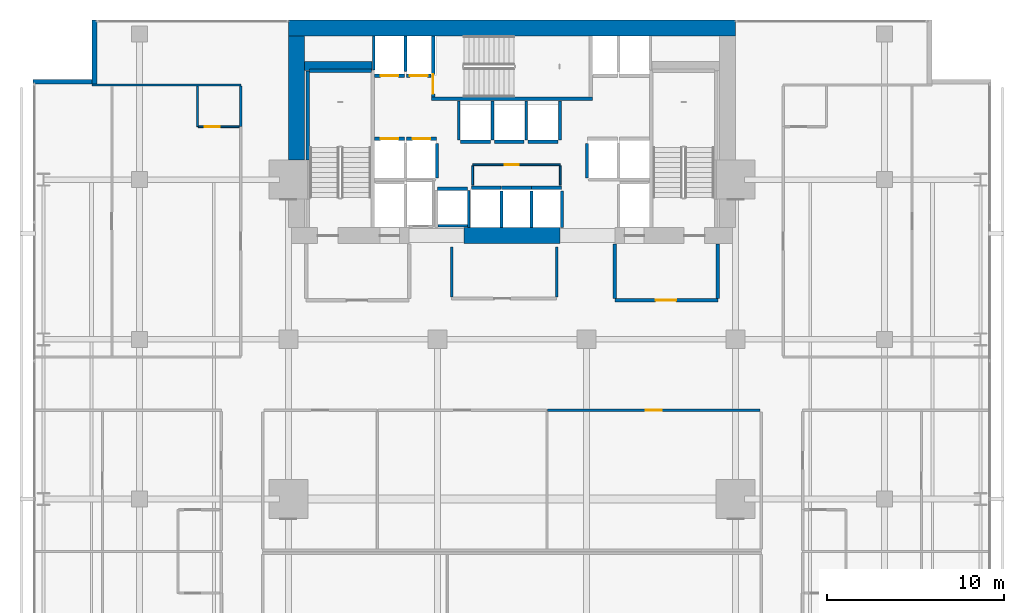
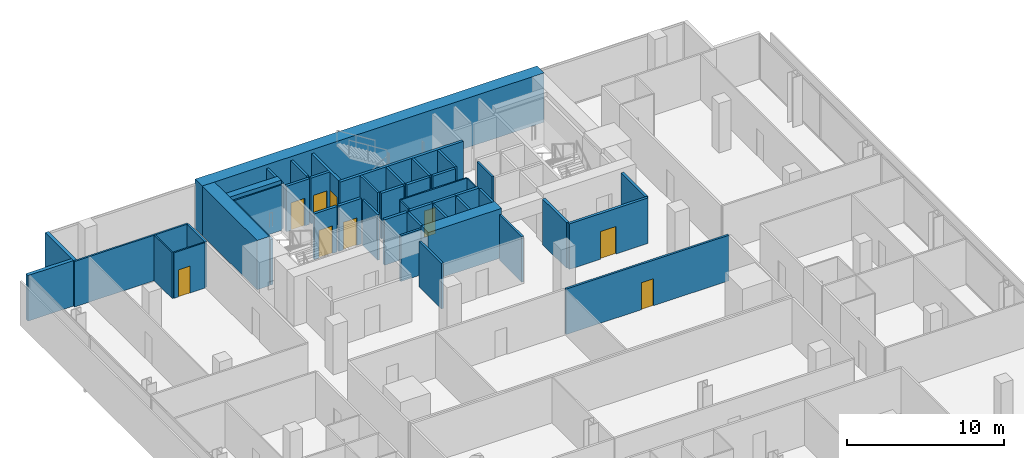
# One storey, part 35 of 39: 47 walls, 9 doors, 9 openings.
"""IFC4 building model written with IfcOpenShell, lengths in metres."""

from ifc_helpers import new_model, si_unit, direction, frame, frame_2d, origin, place, context, subcontext, project, spatial, rectangle, extrude, material, layer, layer_set, type_object, element, fill, save


model = new_model("IFC4")

# Units and contexts
model_context = context("Model", 3, precision=1e-05, world=origin(), true_north=direction((0.0, 1.0)))
body_context = subcontext(model_context, "Body", "Model", "MODEL_VIEW")
ifc_project = project(units=[si_unit("LENGTHUNIT", "METRE"), si_unit("AREAUNIT", "SQUARE_METRE"), si_unit("VOLUMEUNIT", "CUBIC_METRE"), si_unit("PLANEANGLEUNIT", "RADIAN"), si_unit("MASSUNIT", "GRAM", prefix="KILO")], contexts=[model_context])

# Site, building, storey
site_placement = place(None, origin())
site = spatial("IfcSite", under=ifc_project, at=site_placement, CompositionType="ELEMENT")
building_placement = place(site_placement, origin())
building = spatial("IfcBuilding", under=site, at=building_placement, Name="Maruvema Waterfront Hotel and Observation Tower", CompositionType="ELEMENT")
storey_placement = place(building_placement, frame((0.0, 0.0, 111.64990234375)))
storey = spatial("IfcBuildingStorey", under=building, at=storey_placement, Name="L27", CompositionType="ELEMENT", Elevation=111.64990234375)

# Walls
ifc_material_1 = material(Name="Twin-stud acoustic gypsum drywall", Category="gypsum")
ifc_layer_1 = layer(ifc_material_1, 0.14990234375, Name="Acoustic Corridor and Suite Demising Wall 150 mm")
ifc_layer_set_1 = layer_set([ifc_layer_1], Name="Twin-stud acoustic gypsum drywall")
wall_type_1 = type_object("IfcWallType", Name="Acoustic Corridor and Suite Demising Wall 150 mm", PredefinedType="PARTITIONING", material=ifc_layer_set_1)
for number, where, z_axis, x_axis, name in (
    (1, (34.39990234375, 38.3798828125, 0.0), (0.0, 0.0, 1.0), (0.0, 1.0, 0.0), "L27 Core Apron K0 West 014"),
    (2, (40.320068359375, 38.3798828125, 0.0), (0.0, 0.0, 1.0), (0.0, 1.0, 0.0), "L27 Core Apron K0 East 015"),
):
    element("IfcWall", number, at=place(storey_placement, frame(where, z_axis=z_axis, x_axis=x_axis)), inside=storey, type_object=wall_type_1, Name=name, PredefinedType="PARTITIONING", context=body_context, shape_type="SweptSolid", body=[
        extrude(rectangle(XDim=2.840087890625, YDim=0.14990234375, at=frame_2d((1.419921875, 0.0))), origin(), (0.0, 0.0, 1.0), 3.550048828125),
    ])

# Wall, opening, door
wall_1_placement = place(storey_placement, frame((39.797119140625, 32.0, 0.0), z_axis=(0.0, 0.0, 1.0), x_axis=(1.0, 0.0, 0.0)))
wall_1 = element("IfcWall", 3, at=wall_1_placement, inside=storey, type_object=wall_type_1, Name="L27 L27-INTN Front 3 023", PredefinedType="PARTITIONING", context=body_context, shape_type="SweptSolid", body=[
    extrude(rectangle(XDim=11.992919921875, YDim=0.14990234375, at=frame_2d((5.99658203125, 0.0))), origin(), (0.0, 0.0, 1.0), 3.550048828125),
])
opening_1_placement = place(wall_1_placement, frame((5.54638671875, 0.0, 0.0)))
opening_1 = element("IfcOpeningElement", 4, at=opening_1_placement, cuts=wall_1, Name="Opening DR-090", PredefinedType="OPENING", context=body_context, shape_type="SweptSolid", body=[
    extrude(rectangle(XDim=0.89990234375, YDim=2.10009765625, at=frame_2d((0.449951171875, 1.050048828125))), frame((0.0, 0.0849609375, 0.0), z_axis=(0.0, -1.0, 0.0), x_axis=(1.0, 0.0, 0.0)), (0.0, 0.0, 1.0), 0.169921875),
])
ifc_material_2 = material(Name="Solid-core lacquered timber leaf", Category="wood")
door_type_1 = type_object("IfcDoorType", Name="Accessible Toilet and Room Door 900x2100 mm", OperationType="NOTDEFINED", PredefinedType="DOOR", material=ifc_material_2)
door_1_placement = place(opening_1_placement, origin())
door_1 = element("IfcDoor", 5, at=door_1_placement, inside=storey, type_object=door_type_1, Name="L27 Security Office Door", OperationType="SINGLE_SWING_LEFT", OverallHeight=2.10009765625, OverallWidth=0.89990234375, PredefinedType="DOOR", context=body_context, shape_type="SweptSolid", body=[
    extrude(rectangle(XDim=0.89990234375, YDim=2.10009765625, at=frame_2d((0.449951171875, 1.050048828125))), frame((0.0, 0.02490234375, 0.0), z_axis=(0.0, -1.0, 0.0), x_axis=(1.0, 0.0, 0.0)), (0.0, 0.0, 1.0), 0.050048828125),
])
fill(opening_1, door_1)

# Walls
wall_2_placement = place(storey_placement, frame((22.52001953125, 47.987548828125, 0.0), z_axis=(0.0, 0.0, 1.0), x_axis=(0.0, 1.0, 0.0)))
element("IfcWall", 6, at=wall_2_placement, inside=storey, type_object=wall_type_1, Name="L27 Bath L27-NW1 Wall 076", PredefinedType="PARTITIONING", context=body_context, shape_type="SweptSolid", body=[
    extrude(rectangle(XDim=2.2900390625, YDim=0.14990234375, at=frame_2d((1.14501953125, 0.0))), origin(), (0.0, 0.0, 1.0), 3.550048828125),
])
ifc_material_3 = material(Name="Precast concrete C45/55", Category="concrete")
ifc_layer_2 = layer(ifc_material_3, 0.199951171875, Name="Core Shaft and Stairwell Enclosure Wall 200 mm")
ifc_layer_set_2 = layer_set([ifc_layer_2], Name="Precast concrete C45/55")
wall_type_2 = type_object("IfcWallType", Name="Core Shaft and Stairwell Enclosure Wall 200 mm", PredefinedType="SOLIDWALL", material=ifc_layer_set_2)
wall_3_placement = place(storey_placement, frame((26.300048828125, 46.1201171875, 0.0), z_axis=(0.0, 0.0, 1.0), x_axis=(0.0, 1.0, 0.0)))
element("IfcWall", 7, at=wall_3_placement, inside=storey, type_object=wall_type_2, Name="L27 Stairwell ST-01 Shaft Lining Wall", PredefinedType="SOLIDWALL", context=body_context, shape_type="SweptSolid", body=[
    extrude(rectangle(XDim=5.0, YDim=0.199951171875, at=frame_2d((2.5, 0.0))), origin(), (0.0, 0.0, 1.0), 3.550048828125),
])
wall_4_placement = place(storey_placement, frame((26.3798828125, 51.14990234375, 0.0), z_axis=(0.0, 0.0, 1.0), x_axis=(1.0, 0.0, 0.0)))
element("IfcWall", 8, at=wall_4_placement, inside=storey, type_object=wall_type_2, Name="L27 Stairwell ST-01 Shaft Lining Wall", PredefinedType="SOLIDWALL", context=body_context, shape_type="SweptSolid", body=[
    extrude(rectangle(XDim=3.5, YDim=0.199951171875, at=frame_2d((1.75, 0.0))), origin(), (0.0, 0.0, 1.0), 3.550048828125),
])
wall_5_placement = place(storey_placement, frame((33.25, 49.550048828125, 0.0), z_axis=(0.0, 0.0, 1.0), x_axis=(1.0, 0.0, 0.0)))
element("IfcWall", 9, at=wall_5_placement, inside=storey, type_object=wall_type_2, Name="L27 Stairwell ST-02 Shaft Wall", PredefinedType="SOLIDWALL", context=body_context, shape_type="SweptSolid", body=[
    extrude(rectangle(XDim=9.10009765625, YDim=0.199951171875, at=frame_2d((4.550048828125, 0.0))), origin(), (0.0, 0.0, 1.0), 3.550048828125),
])

# Wall, opening, door
wall_6_placement = place(storey_placement, frame((33.35009765625, 49.64990234375, 0.0), z_axis=(0.0, 0.0, 1.0), x_axis=(0.0, 1.0, 0.0)))
wall_6 = element("IfcWall", 10, at=wall_6_placement, inside=storey, type_object=wall_type_2, Name="L27 Stairwell ST-02 Shaft Wall", PredefinedType="SOLIDWALL", context=body_context, shape_type="SweptSolid", body=[
    extrude(rectangle(XDim=3.4501953125, YDim=0.199951171875, at=frame_2d((1.72509765625, 0.0))), origin(), (0.0, 0.0, 1.0), 3.550048828125),
])
opening_2_placement = place(wall_6_placement, frame((0.179931640625, 0.0, 0.0)))
opening_2 = element("IfcOpeningElement", 11, at=opening_2_placement, cuts=wall_6, Name="Opening SD-02", PredefinedType="OPENING", context=body_context, shape_type="SweptSolid", body=[
    extrude(rectangle(XDim=1.10009765625, YDim=2.14990234375, at=frame_2d((0.550048828125, 1.074951171875))), frame((0.0, 0.10986328125, 0.0), z_axis=(0.0, -1.0, 0.0), x_axis=(1.0, 0.0, 0.0)), (0.0, 0.0, 1.0), 0.219970703125),
])
ifc_material_4 = material(Name="Fire-rated galvanised steel leaf", Category="steel")
door_type_2 = type_object("IfcDoorType", Name="Central Exit Stair Fire Door 1100x2150 mm", OperationType="NOTDEFINED", PredefinedType="DOOR", material=ifc_material_4)
door_2_placement = place(opening_2_placement, frame((1.10009765625, 0.0, 0.0), z_axis=(0.0, 0.0, 1.0), x_axis=(-1.0, 0.0, 0.0)))
door_2 = element("IfcDoor", 12, at=door_2_placement, inside=storey, type_object=door_type_2, Name="L27 Exit Stair ST-02 Fire Door", OperationType="SINGLE_SWING_LEFT", OverallHeight=2.14990234375, OverallWidth=1.10009765625, PredefinedType="DOOR", context=body_context, shape_type="SweptSolid", body=[
    extrude(rectangle(XDim=1.10009765625, YDim=2.14990234375, at=frame_2d((0.550048828125, 1.074951171875))), frame((0.0, 0.02490234375, 0.0), z_axis=(0.0, -1.0, 0.0), x_axis=(1.0, 0.0, 0.0)), (0.0, 0.0, 1.0), 0.050048828125),
])
fill(opening_2, door_2)

wall_7_placement = place(storey_placement, frame((30.06005859375, 47.300048828125, 0.0), z_axis=(0.0, 0.0, 1.0), x_axis=(1.0, 0.0, 0.0)))
wall_7 = element("IfcWall", 13, at=wall_7_placement, inside=storey, type_object=wall_type_2, Name="L27 Lift LF-01 Hoistway Front Wall", PredefinedType="SOLIDWALL", context=body_context, shape_type="SweptSolid", body=[
    extrude(rectangle(XDim=1.679931640625, YDim=0.199951171875, at=frame_2d((0.83984375, 0.0))), origin(), (0.0, 0.0, 1.0), 3.550048828125),
])
opening_3_placement = place(wall_7_placement, frame((0.340087890625, 0.0, 0.0)))
opening_3 = element("IfcOpeningElement", 14, at=opening_3_placement, cuts=wall_7, Name="Opening LD-01", PredefinedType="OPENING", context=body_context, shape_type="SweptSolid", body=[
    extrude(rectangle(XDim=1.0, YDim=2.14990234375, at=frame_2d((0.5, 1.074951171875))), frame((0.0, 0.10986328125, 0.0), z_axis=(0.0, -1.0, 0.0), x_axis=(1.0, 0.0, 0.0)), (0.0, 0.0, 1.0), 0.219970703125),
])
ifc_material_5 = material(Name="Brushed stainless steel Grade 316", Category="steel")
door_type_3 = type_object("IfcDoorType", Name="Passenger Lift Sliding Landing Door 1000x2150 mm", OperationType="SLIDING_TO_LEFT", PredefinedType="DOOR", material=ifc_material_5)
door_3_placement = place(opening_3_placement, origin())
door_3 = element("IfcDoor", 15, at=door_3_placement, inside=storey, type_object=door_type_3, Name="L27 Lift LF-01 Sliding Landing Door", OperationType="SLIDING_TO_LEFT", OverallHeight=2.14990234375, OverallWidth=1.0, PredefinedType="DOOR", context=body_context, shape_type="SweptSolid", body=[
    extrude(rectangle(XDim=1.0, YDim=2.14990234375, at=frame_2d((0.5, 1.074951171875))), frame((0.0, 0.02490234375, 0.0), z_axis=(0.0, -1.0, 0.0), x_axis=(1.0, 0.0, 0.0)), (0.0, 0.0, 1.0), 0.050048828125),
])
fill(opening_3, door_3)

wall_8_placement = place(storey_placement, frame((31.860107421875, 47.300048828125, 0.0), z_axis=(0.0, 0.0, 1.0), x_axis=(1.0, 0.0, 0.0)))
wall_8 = element("IfcWall", 16, at=wall_8_placement, inside=storey, type_object=wall_type_2, Name="L27 Lift LF-02 Hoistway Front Wall", PredefinedType="SOLIDWALL", context=body_context, shape_type="SweptSolid", body=[
    extrude(rectangle(XDim=1.679931640625, YDim=0.199951171875, at=frame_2d((0.83984375, 0.0))), origin(), (0.0, 0.0, 1.0), 3.550048828125),
])
opening_4_placement = place(wall_8_placement, frame((0.340087890625, 0.0, 0.0)))
opening_4 = element("IfcOpeningElement", 17, at=opening_4_placement, cuts=wall_8, Name="Opening LD-01", PredefinedType="OPENING", context=body_context, shape_type="SweptSolid", body=[
    extrude(rectangle(XDim=1.0, YDim=2.14990234375, at=frame_2d((0.5, 1.074951171875))), frame((0.0, 0.10986328125, 0.0), z_axis=(0.0, -1.0, 0.0), x_axis=(1.0, 0.0, 0.0)), (0.0, 0.0, 1.0), 0.219970703125),
])
door_4_placement = place(opening_4_placement, origin())
door_4 = element("IfcDoor", 18, at=door_4_placement, inside=storey, type_object=door_type_3, Name="L27 Lift LF-02 Sliding Landing Door", OperationType="SLIDING_TO_LEFT", OverallHeight=2.14990234375, OverallWidth=1.0, PredefinedType="DOOR", context=body_context, shape_type="SweptSolid", body=[
    extrude(rectangle(XDim=1.0, YDim=2.14990234375, at=frame_2d((0.5, 1.074951171875))), frame((0.0, 0.02490234375, 0.0), z_axis=(0.0, -1.0, 0.0), x_axis=(1.0, 0.0, 0.0)), (0.0, 0.0, 1.0), 0.050048828125),
])
fill(opening_4, door_4)

wall_9_placement = place(storey_placement, frame((30.06005859375, 50.85009765625, 0.0), z_axis=(0.0, 0.0, 1.0), x_axis=(1.0, 0.0, 0.0)))
wall_9 = element("IfcWall", 19, at=wall_9_placement, inside=storey, type_object=wall_type_2, Name="L27 Lift LF-03 Hoistway Front Wall", PredefinedType="SOLIDWALL", context=body_context, shape_type="SweptSolid", body=[
    extrude(rectangle(XDim=1.679931640625, YDim=0.199951171875, at=frame_2d((0.83984375, 0.0))), origin(), (0.0, 0.0, 1.0), 3.550048828125),
])
opening_5_placement = place(wall_9_placement, frame((0.340087890625, 0.0, 0.0)))
opening_5 = element("IfcOpeningElement", 20, at=opening_5_placement, cuts=wall_9, Name="Opening LD-01", PredefinedType="OPENING", context=body_context, shape_type="SweptSolid", body=[
    extrude(rectangle(XDim=1.0, YDim=2.14990234375, at=frame_2d((0.5, 1.074951171875))), frame((0.0, 0.10986328125, 0.0), z_axis=(0.0, -1.0, 0.0), x_axis=(1.0, 0.0, 0.0)), (0.0, 0.0, 1.0), 0.219970703125),
])
door_5_placement = place(opening_5_placement, frame((1.0, 0.0, 0.0), z_axis=(0.0, 0.0, 1.0), x_axis=(-1.0, 0.0, 0.0)))
door_5 = element("IfcDoor", 21, at=door_5_placement, inside=storey, type_object=door_type_3, Name="L27 Lift LF-03 Sliding Landing Door", OperationType="SLIDING_TO_LEFT", OverallHeight=2.14990234375, OverallWidth=1.0, PredefinedType="DOOR", context=body_context, shape_type="SweptSolid", body=[
    extrude(rectangle(XDim=1.0, YDim=2.14990234375, at=frame_2d((0.5, 1.074951171875))), frame((0.0, 0.02490234375, 0.0), z_axis=(0.0, -1.0, 0.0), x_axis=(1.0, 0.0, 0.0)), (0.0, 0.0, 1.0), 0.050048828125),
])
fill(opening_5, door_5)

wall_10_placement = place(storey_placement, frame((31.860107421875, 50.85009765625, 0.0), z_axis=(0.0, 0.0, 1.0), x_axis=(1.0, 0.0, 0.0)))
wall_10 = element("IfcWall", 22, at=wall_10_placement, inside=storey, type_object=wall_type_2, Name="L27 Lift LF-04 Hoistway Front Wall", PredefinedType="SOLIDWALL", context=body_context, shape_type="SweptSolid", body=[
    extrude(rectangle(XDim=1.3798828125, YDim=0.199951171875, at=frame_2d((0.68994140625, 0.0))), origin(), (0.0, 0.0, 1.0), 3.550048828125),
])
opening_6_placement = place(wall_10_placement, frame((0.18994140625, 0.0, 0.0)))
opening_6 = element("IfcOpeningElement", 23, at=opening_6_placement, cuts=wall_10, Name="Opening LD-01", PredefinedType="OPENING", context=body_context, shape_type="SweptSolid", body=[
    extrude(rectangle(XDim=1.0, YDim=2.14990234375, at=frame_2d((0.5, 1.074951171875))), frame((0.0, 0.10986328125, 0.0), z_axis=(0.0, -1.0, 0.0), x_axis=(1.0, 0.0, 0.0)), (0.0, 0.0, 1.0), 0.219970703125),
])
door_6_placement = place(opening_6_placement, frame((1.0, 0.0, 0.0), z_axis=(0.0, 0.0, 1.0), x_axis=(-1.0, 0.0, 0.0)))
door_6 = element("IfcDoor", 24, at=door_6_placement, inside=storey, type_object=door_type_3, Name="L27 Lift LF-04 Sliding Landing Door", OperationType="SLIDING_TO_LEFT", OverallHeight=2.14990234375, OverallWidth=1.0, PredefinedType="DOOR", context=body_context, shape_type="SweptSolid", body=[
    extrude(rectangle(XDim=1.0, YDim=2.14990234375, at=frame_2d((0.5, 1.074951171875))), frame((0.0, 0.02490234375, 0.0), z_axis=(0.0, -1.0, 0.0), x_axis=(1.0, 0.0, 0.0)), (0.0, 0.0, 1.0), 0.050048828125),
])
fill(opening_6, door_6)

# Walls
for number, where, z_axis, x_axis, name in (
    (25, (35.510009765625, 44.550048828125, 0.0), (0.0, 0.0, 1.0), (1.0, 0.0, 0.0), "L27 Lift LF-09 Hoistway Front Wall"),
    (26, (37.2099609375, 44.550048828125, 0.0), (0.0, 0.0, 1.0), (1.0, 0.0, 0.0), "L27 Lift LF-10 Hoistway Front Wall"),
):
    element("IfcWall", number, at=place(storey_placement, frame(where, z_axis=z_axis, x_axis=x_axis)), inside=storey, type_object=wall_type_2, Name=name, PredefinedType="SOLIDWALL", context=body_context, shape_type="SweptSolid", body=[
        extrude(rectangle(XDim=1.679931640625, YDim=0.199951171875, at=frame_2d((0.83984375, 0.0))), origin(), (0.0, 0.0, 1.0), 3.550048828125),
    ])
for number, where, z_axis, x_axis, name in (
    (27, (38.909912109375, 44.550048828125, 0.0), (0.0, 0.0, 1.0), (1.0, 0.0, 0.0), "L27 Lift LF-11 Hoistway Front Wall"),
    (28, (34.909912109375, 47.14990234375, 0.0), (0.0, 0.0, 1.0), (1.0, 0.0, 0.0), "L27 Lift LF-12 Hoistway Front Wall"),
):
    element("IfcWall", number, at=place(storey_placement, frame(where, z_axis=z_axis, x_axis=x_axis)), inside=storey, type_object=wall_type_2, Name=name, PredefinedType="SOLIDWALL", context=body_context, shape_type="SweptSolid", body=[
        extrude(rectangle(XDim=1.68017578125, YDim=0.199951171875, at=frame_2d((0.840087890625, 0.0))), origin(), (0.0, 0.0, 1.0), 3.550048828125),
    ])
for number, where, z_axis, x_axis, name in (
    (29, (36.81005859375, 47.14990234375, 0.0), (0.0, 0.0, 1.0), (1.0, 0.0, 0.0), "L27 Lift LF-13 Hoistway Front Wall"),
    (30, (38.7099609375, 47.14990234375, 0.0), (0.0, 0.0, 1.0), (1.0, 0.0, 0.0), "L27 Lift LF-14 Hoistway Front Wall"),
    (31, (33.610107421875, 44.5, 0.0), (0.0, 0.0, 1.0), (1.0, 0.0, 0.0), "L27 Lift LF-15 Hoistway Front Wall"),
):
    element("IfcWall", number, at=place(storey_placement, frame(where, z_axis=z_axis, x_axis=x_axis)), inside=storey, type_object=wall_type_2, Name=name, PredefinedType="SOLIDWALL", context=body_context, shape_type="SweptSolid", body=[
        extrude(rectangle(XDim=1.679931640625, YDim=0.199951171875, at=frame_2d((0.83984375, 0.0))), origin(), (0.0, 0.0, 1.0), 3.550048828125),
    ])
ifc_material_6 = material(Name="Concrete C70/85", Category="concrete")
ifc_layer_3 = layer(ifc_material_6, 0.5, Name="Core Shear Wall 500 mm")
ifc_layer_set_3 = layer_set([ifc_layer_3], Name="Concrete C70/85")
wall_type_3 = type_object("IfcWallType", Name="Core Shear Wall 500 mm", PredefinedType="SHEAR", material=ifc_layer_set_3)
wall_11_placement = place(storey_placement, frame((26.10009765625, 51.39990234375, 0.0), z_axis=(0.0, 0.0, 1.0), x_axis=(1.0, 0.0, 0.0)))
element("IfcWall", 32, at=wall_11_placement, inside=storey, type_object=wall_type_3, Name="L27 Internal Core Shear Wall NW 500 mm", PredefinedType="SHEAR", context=body_context, shape_type="SweptSolid", body=[
    extrude(rectangle(XDim=3.7998046875, YDim=0.5, at=frame_2d((1.89990234375, 0.0))), origin(), (0.0, 0.0, 1.0), 3.85009765625),
])
ifc_material_7 = material(Name="Concrete C80/95", Category="concrete")
ifc_layer_4 = layer(ifc_material_7, 0.89990234375, Name="Core Shear Wall 900 mm")
ifc_layer_set_4 = layer_set([ifc_layer_4], Name="Concrete C80/95")
wall_type_4 = type_object("IfcWallType", Name="Core Shear Wall 900 mm", PredefinedType="SHEAR", material=ifc_layer_set_4)
wall_12_placement = place(storey_placement, frame((25.199951171875, 53.550048828125, 0.0), z_axis=(0.0, 0.0, 1.0), x_axis=(1.0, 0.0, 0.0)))
element("IfcWall", 33, at=wall_12_placement, inside=storey, type_object=wall_type_4, Name="L27 North Core Shear Wall", PredefinedType="SHEAR", context=body_context, shape_type="SweptSolid", body=[
    extrude(rectangle(XDim=25.199951171875, YDim=0.89990234375, at=frame_2d((12.60009765625, 0.0))), origin(), (0.0, 0.0, 1.0), 3.85009765625),
])
wall_13_placement = place(storey_placement, frame((35.10009765625, 41.85009765625, 0.0), z_axis=(0.0, 0.0, 1.0), x_axis=(1.0, 0.0, 0.0)))
element("IfcWall", 34, at=wall_13_placement, inside=storey, type_object=wall_type_4, Name="L27 South-Central Core Shear Wall", PredefinedType="SHEAR", context=body_context, shape_type="SweptSolid", body=[
    extrude(rectangle(XDim=5.39990234375, YDim=0.89990234375, at=frame_2d((2.699951171875, 0.0))), origin(), (0.0, 0.0, 1.0), 3.85009765625),
])
wall_14_placement = place(storey_placement, frame((25.64990234375, 46.10009765625, 0.0), z_axis=(0.0, 0.0, 1.0), x_axis=(0.0, 1.0, 0.0)))
element("IfcWall", 35, at=wall_14_placement, inside=storey, type_object=wall_type_4, Name="L27 West-North Core Shear Wall", PredefinedType="SHEAR", context=body_context, shape_type="SweptSolid", body=[
    extrude(rectangle(XDim=7.0, YDim=0.89990234375, at=frame_2d((3.5, 0.0))), origin(), (0.0, 0.0, 1.0), 3.85009765625),
])

# Wall, opening, door
ifc_material_8 = material(Name="Moisture-resistant cement-board drywall", Category="gypsum")
ifc_layer_5 = layer(ifc_material_8, 0.10009765625, Name="En-Suite Moisture-Resistant Partition 100 mm")
ifc_layer_set_5 = layer_set([ifc_layer_5], Name="Moisture-resistant cement-board drywall")
wall_type_5 = type_object("IfcWallType", Name="En-Suite Moisture-Resistant Partition 100 mm", PredefinedType="PARTITIONING", material=ifc_layer_set_5)
wall_15_placement = place(storey_placement, frame((35.580078125, 45.840087890625, 0.0), z_axis=(0.0, 0.0, 1.0), x_axis=(1.0, 0.0, 0.0)))
wall_15 = element("IfcWall", 36, at=wall_15_placement, inside=storey, type_object=wall_type_5, Name="L27 Core Closet K0 North 010", PredefinedType="PARTITIONING", context=body_context, shape_type="SweptSolid", body=[
    extrude(rectangle(XDim=4.93994140625, YDim=0.10009765625, at=frame_2d((2.469970703125, 0.0))), origin(), (0.0, 0.0, 1.0), 3.550048828125),
])
opening_7_placement = place(wall_15_placement, frame((1.800048828125, 0.0, 0.0)))
opening_7 = element("IfcOpeningElement", 37, at=opening_7_placement, cuts=wall_15, Name="Opening DR-080", PredefinedType="OPENING", context=body_context, shape_type="SweptSolid", body=[
    extrude(rectangle(XDim=0.800048828125, YDim=2.050048828125, at=frame_2d((0.39990234375, 1.02490234375))), frame((0.0, 0.06005859375, 0.0), z_axis=(0.0, -1.0, 0.0), x_axis=(1.0, 0.0, 0.0)), (0.0, 0.0, 1.0), 0.1201171875),
])
ifc_material_9 = material(Name="Powder-coated steel access leaf", Category="steel")
door_type_4 = type_object("IfcDoorType", Name="Riser and Service Cupboard Door 800x2050 mm", OperationType="NOTDEFINED", PredefinedType="DOOR", material=ifc_material_9)
door_7_placement = place(opening_7_placement, origin())
door_7 = element("IfcDoor", 38, at=door_7_placement, inside=storey, type_object=door_type_4, Name="L27 Core Electrical Closet Door", OperationType="SINGLE_SWING_LEFT", OverallHeight=2.050048828125, OverallWidth=0.800048828125, PredefinedType="DOOR", context=body_context, shape_type="SweptSolid", body=[
    extrude(rectangle(XDim=0.800048828125, YDim=2.050048828125, at=frame_2d((0.39990234375, 1.02490234375))), frame((0.0, 0.02490234375, 0.0), z_axis=(0.0, -1.0, 0.0), x_axis=(1.0, 0.0, 0.0)), (0.0, 0.0, 1.0), 0.050048828125),
])
fill(opening_7, door_7)

# Walls
for number, where, z_axis, x_axis, name in (
    (39, (35.580078125, 44.699951171875, 0.0), (0.0, 0.0, 1.0), (0.0, 1.0, 0.0), "L27 Core Closet K0 West 011"),
    (40, (40.52001953125, 44.699951171875, 0.0), (0.0, 0.0, 1.0), (0.0, 1.0, 0.0), "L27 Core Closet K0 East 012"),
):
    element("IfcWall", number, at=place(storey_placement, frame(where, z_axis=z_axis, x_axis=x_axis)), inside=storey, type_object=wall_type_5, Name=name, PredefinedType="PARTITIONING", context=body_context, shape_type="SweptSolid", body=[
        extrude(rectangle(XDim=1.080078125, YDim=0.10009765625, at=frame_2d((0.5400390625, 0.0))), origin(), (0.0, 0.0, 1.0), 3.550048828125),
    ])
wall_16_placement = place(storey_placement, frame((20.070068359375, 47.987548828125, 0.0), z_axis=(0.0, 0.0, 1.0), x_axis=(0.0, 1.0, 0.0)))
element("IfcWall", 41, at=wall_16_placement, inside=storey, type_object=wall_type_5, Name="L27 En-Suite L27-NW1 W 077", PredefinedType="PARTITIONING", context=body_context, shape_type="SweptSolid", body=[
    extrude(rectangle(XDim=2.2900390625, YDim=0.10009765625, at=frame_2d((1.14501953125, 0.0))), origin(), (0.0, 0.0, 1.0), 3.550048828125),
])

# Wall, opening, door
wall_17_placement = place(storey_placement, frame((20.1201171875, 47.987548828125, 0.0), z_axis=(0.0, 0.0, 1.0), x_axis=(1.0, 0.0, 0.0)))
wall_17 = element("IfcWall", 42, at=wall_17_placement, inside=storey, type_object=wall_type_5, Name="L27 En-Suite L27-NW1 S 078", PredefinedType="PARTITIONING", context=body_context, shape_type="SweptSolid", body=[
    extrude(rectangle(XDim=2.2998046875, YDim=0.10009765625, at=frame_2d((1.14990234375, 0.0))), origin(), (0.0, 0.0, 1.0), 3.550048828125),
])
opening_8_placement = place(wall_17_placement, frame((0.35009765625, 0.0, 0.0)))
opening_8 = element("IfcOpeningElement", 43, at=opening_8_placement, cuts=wall_17, Name="Opening DR-085", PredefinedType="OPENING", context=body_context, shape_type="SweptSolid", body=[
    extrude(rectangle(XDim=0.85009765625, YDim=2.10009765625, at=frame_2d((0.425048828125, 1.050048828125))), frame((0.0, 0.06005859375, 0.0), z_axis=(0.0, -1.0, 0.0), x_axis=(1.0, 0.0, 0.0)), (0.0, 0.0, 1.0), 0.1201171875),
])
ifc_material_10 = material(Name="Moisture-resistant solid timber leaf", Category="wood")
door_type_5 = type_object("IfcDoorType", Name="En-Suite Bathroom Door 850x2100 mm", OperationType="NOTDEFINED", PredefinedType="DOOR", material=ifc_material_10)
door_8_placement = place(opening_8_placement, frame((0.85009765625, 0.0, 0.0), z_axis=(0.0, 0.0, 1.0), x_axis=(-1.0, 0.0, 0.0)))
door_8 = element("IfcDoor", 44, at=door_8_placement, inside=storey, type_object=door_type_5, Name="L27 En-Suite L27-NW1 Door", OperationType="SINGLE_SWING_RIGHT", OverallHeight=2.10009765625, OverallWidth=0.85009765625, PredefinedType="DOOR", context=body_context, shape_type="SweptSolid", body=[
    extrude(rectangle(XDim=0.85009765625, YDim=2.10009765625, at=frame_2d((0.425048828125, 1.050048828125))), frame((0.0, 0.02490234375, 0.0), z_axis=(0.0, -1.0, 0.0), x_axis=(1.0, 0.0, 0.0)), (0.0, 0.0, 1.0), 0.050048828125),
])
fill(opening_8, door_8)

# Walls
ifc_material_11 = material(Name="Precast concrete C45/55 with honed Pernambuco granite facing", Category="masonry")
ifc_layer_6 = layer(ifc_material_11, 0.260009765625, Name="Exterior Granite Clad Spandrel and Pier Wall 260 mm")
ifc_layer_set_6 = layer_set([ifc_layer_6], Name="Precast concrete C45/55 with honed Pernambuco granite facing")
wall_type_6 = type_object("IfcWallType", Name="Exterior Granite Clad Spandrel and Pier Wall 260 mm", PredefinedType="SOLIDWALL", material=ifc_layer_set_6)
wall_18_placement = place(storey_placement, frame((14.27001953125, 50.39990234375, 0.0), z_axis=(0.0, 0.0, 1.0), x_axis=(0.0, 1.0, 0.0)))
element("IfcWall", 45, at=wall_18_placement, inside=storey, type_object=wall_type_6, Name="L27 Corner Notch Granite Pier Wall NW1", PredefinedType="SOLIDWALL", context=body_context, shape_type="SweptSolid", body=[
    extrude(rectangle(XDim=3.60009765625, YDim=0.260009765625, at=frame_2d((1.800048828125, 0.0))), origin(), (0.0, 0.0, 1.0), 3.550048828125),
])
wall_19_placement = place(storey_placement, frame((10.800048828125, 50.530029296875, 0.0), z_axis=(0.0, 0.0, 1.0), x_axis=(1.0, 0.0, 0.0)))
element("IfcWall", 46, at=wall_19_placement, inside=storey, type_object=wall_type_6, Name="L27 Corner Notch Granite Pier Wall NW2", PredefinedType="SOLIDWALL", context=body_context, shape_type="SweptSolid", body=[
    extrude(rectangle(XDim=3.599853515625, YDim=0.260009765625, at=frame_2d((1.7998046875, 0.0))), origin(), (0.0, 0.0, 1.0), 3.550048828125),
])

# Wall, opening, door
ifc_material_12 = material(Name="Autoclaved cellular concrete blockwork", Category="masonry")
ifc_layer_7 = layer(ifc_material_12, 0.199951171875, Name="Fire Compartment Masonry Wall 200 mm")
ifc_layer_set_7 = layer_set([ifc_layer_7], Name="Autoclaved cellular concrete blockwork")
wall_type_7 = type_object("IfcWallType", Name="Fire Compartment Masonry Wall 200 mm", PredefinedType="PARTITIONING", material=ifc_layer_set_7)
wall_20_placement = place(storey_placement, frame((43.60009765625, 38.199951171875, 0.0), z_axis=(0.0, 0.0, 1.0), x_axis=(1.0, 0.0, 0.0)))
wall_20 = element("IfcWall", 47, at=wall_20_placement, inside=storey, type_object=wall_type_7, Name="L27 FFL East South Wall 004", PredefinedType="PARTITIONING", context=body_context, shape_type="SweptSolid", body=[
    extrude(rectangle(XDim=5.7998046875, YDim=0.199951171875, at=frame_2d((2.89990234375, 0.0))), origin(), (0.0, 0.0, 1.0), 3.550048828125),
])
opening_9_placement = place(wall_20_placement, frame((2.300048828125, 0.0, 0.0)))
opening_9 = element("IfcOpeningElement", 48, at=opening_9_placement, cuts=wall_20, Name="Opening FD-115", PredefinedType="OPENING", context=body_context, shape_type="SweptSolid", body=[
    extrude(rectangle(XDim=1.14990234375, YDim=2.14990234375, at=frame_2d((0.574951171875, 1.074951171875))), frame((0.0, 0.10986328125, 0.0), z_axis=(0.0, -1.0, 0.0), x_axis=(1.0, 0.0, 0.0)), (0.0, 0.0, 1.0), 0.219970703125),
])
ifc_material_13 = material(Name="Fire-rated galvanised steel and vision glass", Category="steel")
door_type_6 = type_object("IfcDoorType", Name="Firefighting Lobby Fire Door 1150x2150 mm", OperationType="NOTDEFINED", PredefinedType="DOOR", material=ifc_material_13)
door_9_placement = place(opening_9_placement, frame((1.14990234375, 0.0, 0.0), z_axis=(0.0, 0.0, 1.0), x_axis=(-1.0, 0.0, 0.0)))
door_9 = element("IfcDoor", 49, at=door_9_placement, inside=storey, type_object=door_type_6, Name="L27 Firefighting Lobby East Door", OperationType="SINGLE_SWING_LEFT", OverallHeight=2.14990234375, OverallWidth=1.14990234375, PredefinedType="DOOR", context=body_context, shape_type="SweptSolid", body=[
    extrude(rectangle(XDim=1.14990234375, YDim=2.14990234375, at=frame_2d((0.574951171875, 1.074951171875))), frame((0.0, 0.02490234375, 0.0), z_axis=(0.0, -1.0, 0.0), x_axis=(1.0, 0.0, 0.0)), (0.0, 0.0, 1.0), 0.050048828125),
])
fill(opening_9, door_9)

# Walls
for number, where, z_axis, x_axis, name in (
    (50, (43.60009765625, 38.31005859375, 0.0), (0.0, 0.0, 1.0), (0.0, 1.0, 0.0), "L27 FFL East West Wall 005"),
    (51, (49.39990234375, 38.31005859375, 0.0), (0.0, 0.0, 1.0), (0.0, 1.0, 0.0), "L27 FFL East East Wall 006"),
):
    element("IfcWall", number, at=place(storey_placement, frame(where, z_axis=z_axis, x_axis=x_axis)), inside=storey, type_object=wall_type_7, Name=name, PredefinedType="PARTITIONING", context=body_context, shape_type="SweptSolid", body=[
        extrude(rectangle(XDim=3.06982421875, YDim=0.199951171875, at=frame_2d((1.534912109375, 0.0))), origin(), (0.0, 0.0, 1.0), 3.550048828125),
    ])
ifc_material_14 = material(Name="Acoustic gypsum plasterboard drywall", Category="gypsum")
ifc_layer_8 = layer(ifc_material_14, 0.125, Name="Guestroom Acoustic Demising Wall 125 mm")
ifc_layer_set_8 = layer_set([ifc_layer_8], Name="Acoustic gypsum plasterboard drywall")
wall_type_8 = type_object("IfcWallType", Name="Guestroom Acoustic Demising Wall 125 mm", PredefinedType="PARTITIONING", material=ifc_layer_set_8)
wall_21_placement = place(storey_placement, frame((14.139892578125, 50.33740234375, 0.0), z_axis=(0.0, 0.0, 1.0), x_axis=(1.0, 0.0, 0.0)))
element("IfcWall", 52, at=wall_21_placement, inside=storey, type_object=wall_type_8, Name="L27 NW Top End 073", PredefinedType="PARTITIONING", context=body_context, shape_type="SweptSolid", body=[
    extrude(rectangle(XDim=8.380126953125, YDim=0.125, at=frame_2d((4.18994140625, 0.0))), origin(), (0.0, 0.0, 1.0), 3.550048828125),
])
ifc_material_15 = material(Name="Precast concrete C45/55", Category="concrete")
ifc_layer_9 = layer(ifc_material_15, 0.159912109375, Name="Lift Hoistway Divider Wall 160 mm")
ifc_layer_set_9 = layer_set([ifc_layer_9], Name="Precast concrete C45/55")
wall_type_9 = type_object("IfcWallType", Name="Lift Hoistway Divider Wall 160 mm", PredefinedType="SOLIDWALL", material=ifc_layer_set_9)
wall_22_placement = place(storey_placement, frame((33.580078125, 45.10009765625, 0.0), z_axis=(0.0, 0.0, 1.0), x_axis=(0.0, 1.0, 0.0)))
element("IfcWall", 53, at=wall_22_placement, inside=storey, type_object=wall_type_9, Name="L27 Hoistway Divider Wall", PredefinedType="SOLIDWALL", context=body_context, shape_type="SweptSolid", body=[
    extrude(rectangle(XDim=1.949951171875, YDim=0.159912109375, at=frame_2d((0.97509765625, 0.0))), origin(), (0.0, 0.0, 1.0), 3.550048828125),
])
wall_23_placement = place(storey_placement, frame((30.010009765625, 51.179931640625, 0.0), z_axis=(0.0, 0.0, 1.0), x_axis=(0.0, 1.0, 0.0)))
element("IfcWall", 54, at=wall_23_placement, inside=storey, type_object=wall_type_9, Name="L27 Hoistway Divider Wall", PredefinedType="SOLIDWALL", context=body_context, shape_type="SweptSolid", body=[
    extrude(rectangle(XDim=1.920166015625, YDim=0.159912109375, at=frame_2d((0.9599609375, 0.0))), origin(), (0.0, 0.0, 1.0), 3.550048828125),
])
wall_24_placement = place(storey_placement, frame((31.800048828125, 51.10009765625, 0.0), z_axis=(0.0, 0.0, 1.0), x_axis=(0.0, 1.0, 0.0)))
element("IfcWall", 55, at=wall_24_placement, inside=storey, type_object=wall_type_9, Name="L27 Hoistway Divider Wall", PredefinedType="SOLIDWALL", context=body_context, shape_type="SweptSolid", body=[
    extrude(rectangle(XDim=2.0, YDim=0.159912109375, at=frame_2d((1.0, 0.0))), origin(), (0.0, 0.0, 1.0), 3.550048828125),
])
wall_25_placement = place(storey_placement, frame((42.02001953125, 45.10009765625, 0.0), z_axis=(0.0, 0.0, 1.0), x_axis=(0.0, 1.0, 0.0)))
element("IfcWall", 56, at=wall_25_placement, inside=storey, type_object=wall_type_9, Name="L27 Hoistway Divider Wall", PredefinedType="SOLIDWALL", context=body_context, shape_type="SweptSolid", body=[
    extrude(rectangle(XDim=1.949951171875, YDim=0.159912109375, at=frame_2d((0.97509765625, 0.0))), origin(), (0.0, 0.0, 1.0), 3.550048828125),
])
for number, where, z_axis, x_axis, name in (
    (57, (37.199951171875, 42.300048828125, 0.0), (0.0, 0.0, 1.0), (0.0, 1.0, 0.0), "L27 Hoistway Divider Wall"),
    (58, (38.89990234375, 42.300048828125, 0.0), (0.0, 0.0, 1.0), (0.0, 1.0, 0.0), "L27 Hoistway Divider Wall"),
    (59, (40.6201171875, 42.300048828125, 0.0), (0.0, 0.0, 1.0), (0.0, 1.0, 0.0), "L27 Hoistway Divider Wall"),
):
    element("IfcWall", number, at=place(storey_placement, frame(where, z_axis=z_axis, x_axis=x_axis)), inside=storey, type_object=wall_type_9, Name=name, PredefinedType="SOLIDWALL", context=body_context, shape_type="SweptSolid", body=[
        extrude(rectangle(XDim=2.050048828125, YDim=0.159912109375, at=frame_2d((1.02490234375, 0.0))), origin(), (0.0, 0.0, 1.0), 3.550048828125),
    ])
for number, where, z_axis, x_axis, name in (
    (60, (34.800048828125, 47.25, 0.0), (0.0, 0.0, 1.0), (0.0, 1.0, 0.0), "L27 Hoistway Divider Wall"),
    (61, (36.699951171875, 47.25, 0.0), (0.0, 0.0, 1.0), (0.0, 1.0, 0.0), "L27 Hoistway Divider Wall"),
    (62, (38.60009765625, 47.25, 0.0), (0.0, 0.0, 1.0), (0.0, 1.0, 0.0), "L27 Hoistway Divider Wall"),
    (63, (40.5, 47.25, 0.0), (0.0, 0.0, 1.0), (0.0, 1.0, 0.0), "L27 Hoistway Divider Wall"),
):
    element("IfcWall", number, at=place(storey_placement, frame(where, z_axis=z_axis, x_axis=x_axis)), inside=storey, type_object=wall_type_9, Name=name, PredefinedType="SOLIDWALL", context=body_context, shape_type="SweptSolid", body=[
        extrude(rectangle(XDim=2.18994140625, YDim=0.159912109375, at=frame_2d((1.094970703125, 0.0))), origin(), (0.0, 0.0, 1.0), 3.550048828125),
    ])
wall_26_placement = place(storey_placement, frame((35.360107421875, 42.300048828125, 0.0), z_axis=(0.0, 0.0, 1.0), x_axis=(0.0, 1.0, 0.0)))
element("IfcWall", 64, at=wall_26_placement, inside=storey, type_object=wall_type_9, Name="L27 Hoistway Divider Wall", PredefinedType="SOLIDWALL", context=body_context, shape_type="SweptSolid", body=[
    extrude(rectangle(XDim=2.099853515625, YDim=0.159912109375, at=frame_2d((1.0498046875, 0.0))), origin(), (0.0, 0.0, 1.0), 3.550048828125),
])
wall_27_placement = place(storey_placement, frame((33.6201171875, 42.39990234375, 0.0), z_axis=(0.0, 0.0, 1.0), x_axis=(1.0, 0.0, 0.0)))
element("IfcWall", 65, at=wall_27_placement, inside=storey, type_object=wall_type_9, Name="L27 Hoistway Divider Wall", PredefinedType="SOLIDWALL", context=body_context, shape_type="SweptSolid", body=[
    extrude(rectangle(XDim=1.659912109375, YDim=0.159912109375, at=frame_2d((0.830078125, 0.0))), origin(), (0.0, 0.0, 1.0), 3.550048828125),
])

save(model, "model.ifc")
